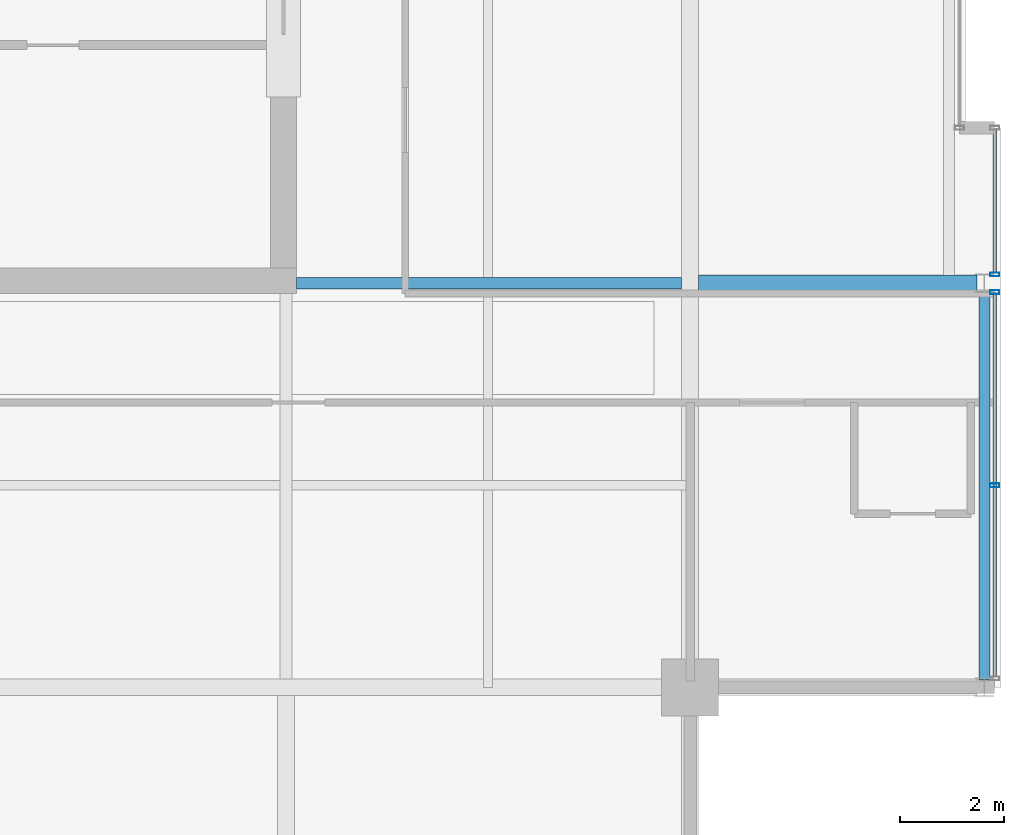
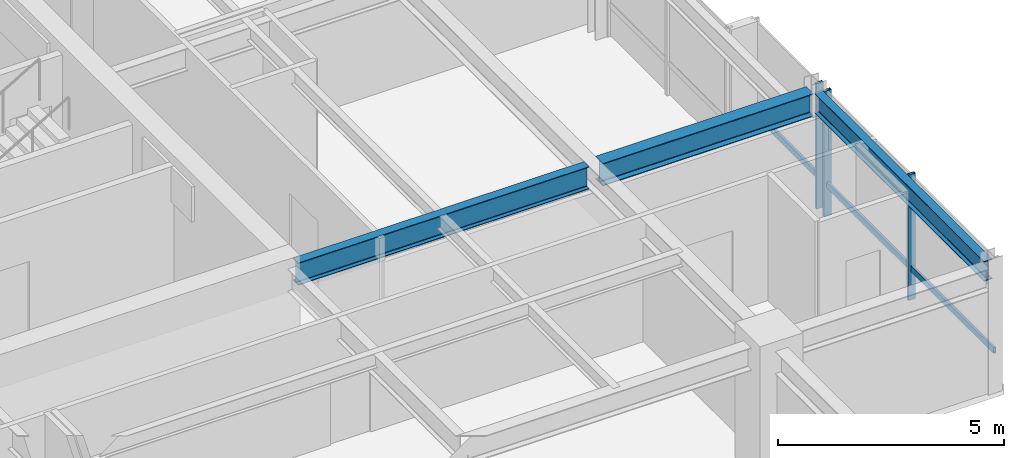
# One storey, part 16 of 33: 5 members, 3 beams, 2 elements without a shape of their own.
"""IFC4 building model written with IfcOpenShell, lengths in metres."""

from ifc_helpers import new_model, si_unit, direction, frame, origin, origin_2d, place, context, subcontext, project, spatial, hollow_rectangle, i_section, extrude, material, layer, layer_set, material_profile, profile_set, type_object, element, aggregate, save


model = new_model("IFC4")

# Units and contexts
model_context = context("Model", 3, precision=1e-05, world=origin(), true_north=direction((0.0, 1.0)))
body_context = subcontext(model_context, "Body", "Model", "MODEL_VIEW")
ifc_project = project(units=[si_unit("LENGTHUNIT", "METRE"), si_unit("AREAUNIT", "SQUARE_METRE"), si_unit("VOLUMEUNIT", "CUBIC_METRE"), si_unit("PLANEANGLEUNIT", "RADIAN"), si_unit("MASSUNIT", "GRAM", prefix="KILO")], contexts=[model_context])

# Site, building, storey
site_placement = place(None, origin())
site = spatial("IfcSite", under=ifc_project, at=site_placement, CompositionType="ELEMENT")
building_placement = place(site_placement, origin())
building = spatial("IfcBuilding", under=site, at=building_placement, Name="Drelvath Grand Hotel", CompositionType="ELEMENT")
storey_placement = place(building_placement, frame((0.0, 0.0, 275.949951171875)))
storey = spatial("IfcBuildingStorey", under=building, at=storey_placement, Name="L72", CompositionType="ELEMENT", Elevation=275.949951171875)

# Curtain wall, member
ifc_material_1 = material(Name="Platinum-Mist Anodised Aluminium Frame", Category="aluminium")
ifc_layer = layer(ifc_material_1, 0.199951171875)
ifc_layer_set = layer_set([ifc_layer], Name="Platinum-Mist Anodised Aluminium Frame")
curtain_wall_type = type_object("IfcCurtainWallType", Name="Stick Curtain Wall CW-05 Platinum Mist High-Rise", PredefinedType="NOTDEFINED", material=ifc_layer_set)
curtain_wall_1_placement = place(storey_placement, origin())
curtain_wall_1 = element("IfcCurtainWall", 1, at=curtain_wall_1_placement, inside=storey, type_object=curtain_wall_type, Name="L72 CW-05 Curtain Wall CW05-L72-ES1", PredefinedType="NOTDEFINED")
ifc_material_profile_1 = material_profile(ifc_material_1, hollow_rectangle(XDim=0.06494140625, YDim=0.159912109375, WallThickness=0.00390625, at=origin_2d()), Name="HSS160X65X4")
ifc_profile_set_1 = profile_set([ifc_material_profile_1], Name="Platinum-Mist Anodised Aluminium Frame")
member_type_1 = type_object("IfcMemberType", Name="Curtain Wall Horizontal Transom CW-05 HSS160X65X4", PredefinedType="USERDEFINED", material=ifc_profile_set_1)
member_1_placement = place(storey_placement, frame((22.080078125, 18.389892578125, 0.84765625), z_axis=(0.0, -1.0, 0.0), x_axis=(1.0, 0.0, 0.0)))
member_1 = element("IfcMember", 2, at=member_1_placement, type_object=member_type_1, Name="CW05-L72-ES1 Sill Transom", ObjectType="TRANSOM", PredefinedType="USERDEFINED", context=body_context, shape_type="SweptSolid", body=[
    extrude(hollow_rectangle(XDim=0.06494140625, YDim=0.159912109375, WallThickness=0.00390625, at=origin_2d()), origin(), (0.0, 0.0, 1.0), 7.3798828125),
])

curtain_wall_2_placement = place(storey_placement, origin())
curtain_wall_2 = element("IfcCurtainWall", 3, at=curtain_wall_2_placement, inside=storey, type_object=curtain_wall_type, Name="L72 CW-05 Curtain Wall CW05-L72-ES2", PredefinedType="NOTDEFINED")
member_2_placement = place(storey_placement, frame((22.080078125, 21.56005859375, 0.84765625), z_axis=(0.0, -1.0, 0.0), x_axis=(1.0, 0.0, 0.0)))
member_2 = element("IfcMember", 4, at=member_2_placement, type_object=member_type_1, Name="CW05-L72-ES2 Sill Transom", ObjectType="TRANSOM", PredefinedType="USERDEFINED", context=body_context, shape_type="SweptSolid", body=[
    extrude(hollow_rectangle(XDim=0.06494140625, YDim=0.159912109375, WallThickness=0.00390625, at=origin_2d()), origin(), (0.0, 0.0, 1.0), 2.75),
])

# Member
ifc_material_profile_2 = material_profile(ifc_material_1, hollow_rectangle(XDim=0.074951171875, YDim=0.179931640625, WallThickness=0.0048828125, at=origin_2d()), Name="HSS180X75X5")
ifc_profile_set_2 = profile_set([ifc_material_profile_2], Name="Platinum-Mist Anodised Aluminium Frame")
member_type_2 = type_object("IfcMemberType", Name="Curtain Wall Vertical Mullion CW-05 HSS180X75X5", PredefinedType="MULLION", material=ifc_profile_set_2)
member_3_placement = place(storey_placement, frame((22.080078125, 18.429931640625, 0.0), z_axis=(0.0, 0.0, 1.0), x_axis=(0.0, 1.0, 0.0)))
member_3 = element("IfcMember", 5, at=member_3_placement, type_object=member_type_2, Name="CW05-L72-ES1 Mullion 1", PredefinedType="MULLION", context=body_context, shape_type="SweptSolid", body=[
    extrude(hollow_rectangle(XDim=0.074951171875, YDim=0.179931640625, WallThickness=0.0048828125, at=origin_2d()), origin(), (0.0, 0.0, 1.0), 3.39013671875),
])

member_4_placement = place(storey_placement, frame((22.080078125, 14.7001953125, 0.0), z_axis=(0.0, 0.0, 1.0), x_axis=(0.0, 1.0, 0.0)))
member_4 = element("IfcMember", 6, at=member_4_placement, type_object=member_type_2, Name="CW05-L72-ES1 Mullion 2", PredefinedType="MULLION", context=body_context, shape_type="SweptSolid", body=[
    extrude(hollow_rectangle(XDim=0.074951171875, YDim=0.179931640625, WallThickness=0.0048828125, at=origin_2d()), origin(), (0.0, 0.0, 1.0), 3.39013671875),
])

aggregate(curtain_wall_1, [member_3, member_4, member_1])

member_5_placement = place(storey_placement, frame((22.080078125, 18.77001953125, 0.0), z_axis=(0.0, 0.0, 1.0), x_axis=(0.0, 1.0, 0.0)))
member_5 = element("IfcMember", 7, at=member_5_placement, type_object=member_type_2, Name="CW05-L72-ES2 Mullion 2", PredefinedType="MULLION", context=body_context, shape_type="SweptSolid", body=[
    extrude(hollow_rectangle(XDim=0.074951171875, YDim=0.179931640625, WallThickness=0.0048828125, at=origin_2d()), origin(), (0.0, 0.0, 1.0), 3.39013671875),
])

aggregate(curtain_wall_2, [member_5, member_2])

# Beams
ifc_material_2 = material(Name="Steel ASTM A992 Gr 50", Category="steel")
ifc_material_profile_3 = material_profile(ifc_material_2, i_section(OverallWidth=0.210205078125, OverallDepth=0.53662109375, WebThickness=0.010986328125, FlangeThickness=0.017333984375, FilletRadius=0.01806640625, at=origin_2d()), Name="W21X68")
ifc_profile_set_3 = profile_set([ifc_material_profile_3], Name="Steel ASTM A992 Gr 50")
beam_type_1 = type_object("IfcBeamType", Name="Perimeter Spandrel Beam W21X68", PredefinedType="SPANDREL", material=ifc_profile_set_3)
beam_1_placement = place(storey_placement, frame((21.8798828125, 10.93994140625, 3.12158203125), z_axis=(0.0, 1.0, 0.0), x_axis=(-1.0, 0.0, 0.0)))
element("IfcBeam", 8, at=beam_1_placement, inside=storey, type_object=beam_type_1, Name="L72 Spandrel East S", PredefinedType="SPANDREL", context=body_context, shape_type="SweptSolid", body=[
    extrude(i_section(OverallWidth=0.210205078125, OverallDepth=0.53662109375, WebThickness=0.010986328125, FlangeThickness=0.017333984375, FilletRadius=0.01806640625, at=origin_2d()), origin(), (0.0, 0.0, 1.0), 7.52001953125),
])
ifc_material_profile_4 = material_profile(ifc_material_2, i_section(OverallWidth=0.323974609375, OverallDepth=0.611083984375, WebThickness=0.0126953125, FlangeThickness=0.01904296875, FilletRadius=0.02197265625, at=origin_2d()), Name="W24X104")
ifc_profile_set_4 = profile_set([ifc_material_profile_4], Name="Steel ASTM A992 Gr 50")
beam_type_2 = type_object("IfcBeamType", Name="Primary Floor Girder W24X104", PredefinedType="BEAM", material=ifc_profile_set_4)
beam_2_placement = place(storey_placement, frame((16.362060546875, 18.60009765625, 3.08447265625), z_axis=(1.0, 0.0, 0.0), x_axis=(0.0, 1.0, 0.0)))
element("IfcBeam", 9, at=beam_2_placement, inside=storey, type_object=beam_type_2, Name="L72 East Wing Girder D", PredefinedType="BEAM", context=body_context, shape_type="SweptSolid", body=[
    extrude(i_section(OverallWidth=0.323974609375, OverallDepth=0.611083984375, WebThickness=0.0126953125, FlangeThickness=0.01904296875, FilletRadius=0.02197265625, at=origin_2d()), origin(), (0.0, 0.0, 1.0), 5.3779296875),
])
ifc_material_profile_5 = material_profile(ifc_material_2, i_section(OverallWidth=0.228271484375, OverallDepth=0.607666015625, WebThickness=0.01123046875, FlangeThickness=0.017333984375, FilletRadius=0.02001953125, at=origin_2d()), Name="W24X76")
ifc_profile_set_5 = profile_set([ifc_material_profile_5], Name="Steel ASTM A992 Gr 50")
beam_type_3 = type_object("IfcBeamType", Name="Primary Floor Girder W24X76", PredefinedType="BEAM", material=ifc_profile_set_5)
beam_3_placement = place(storey_placement, frame((8.60009765625, 18.60009765625, 3.086181640625), z_axis=(1.0, 0.0, 0.0), x_axis=(0.0, 1.0, 0.0)))
element("IfcBeam", 10, at=beam_3_placement, inside=storey, type_object=beam_type_3, Name="L72 East Core Tie D", PredefinedType="BEAM", context=body_context, shape_type="SweptSolid", body=[
    extrude(i_section(OverallWidth=0.228271484375, OverallDepth=0.607666015625, WebThickness=0.01123046875, FlangeThickness=0.017333984375, FilletRadius=0.02001953125, at=origin_2d()), origin(), (0.0, 0.0, 1.0), 7.43798828125),
])

save(model, "model.ifc")
